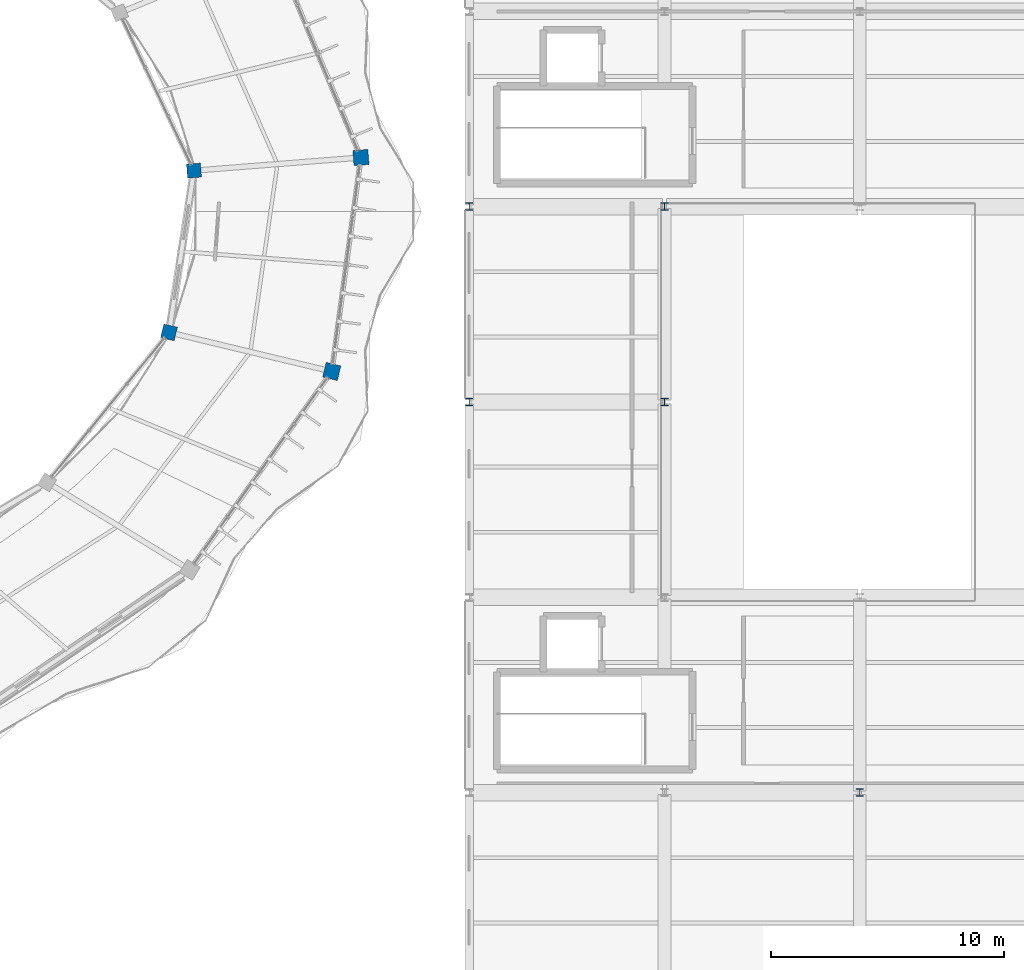
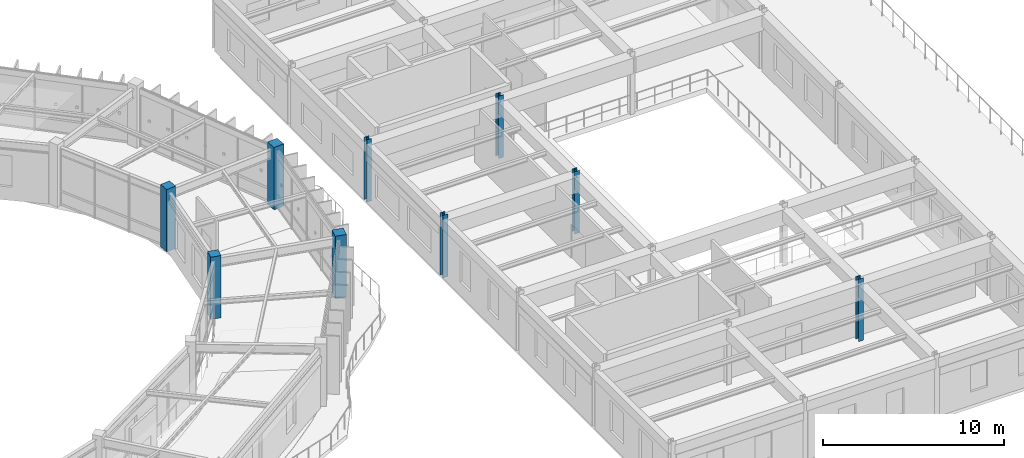
# One storey, part 3 of 114: 9 columns.
"""IFC4 building model written with IfcOpenShell, lengths in metres."""

from ifc_helpers import new_model, si_unit, direction, frame, origin, origin_2d, place, context, subcontext, project, spatial, rectangle, i_section, extrude, material, material_profile, profile_set, type_object, element, save


model = new_model("IFC4")

# Units and contexts
model_context = context("Model", 3, precision=1e-05, world=origin(), true_north=direction((0.0, 1.0)))
body_context = subcontext(model_context, "Body", "Model", "MODEL_VIEW")
ifc_project = project(units=[si_unit("LENGTHUNIT", "METRE"), si_unit("AREAUNIT", "SQUARE_METRE"), si_unit("VOLUMEUNIT", "CUBIC_METRE"), si_unit("PLANEANGLEUNIT", "RADIAN"), si_unit("MASSUNIT", "GRAM", prefix="KILO"), si_unit("THERMODYNAMICTEMPERATUREUNIT", "KELVIN"), si_unit("POWERUNIT", "WATT")], contexts=[model_context])

# Site, building, storey
site_placement = place(None, origin())
site = spatial("IfcSite", under=ifc_project, at=site_placement, CompositionType="ELEMENT")
building_placement = place(site_placement, origin())
building = spatial("IfcBuilding", under=site, at=building_placement, Name="Darbajah Civic Hall", CompositionType="ELEMENT")
storey_placement = place(building_placement, frame((0.0, 0.0, 13.800048828125)))
storey = spatial("IfcBuildingStorey", under=building, at=storey_placement, Name="L03", CompositionType="ELEMENT", Elevation=13.800048828125)

# Columns
ifc_material_1 = material(Name="Concrete C45/55", Category="concrete")
ifc_material_profile_1 = material_profile(ifc_material_1, rectangle(XDim=0.60009765625, YDim=0.60009765625, at=origin_2d()), Name="RC COL 600x600")
ifc_profile_set_1 = profile_set([ifc_material_profile_1], Name="Concrete C45/55")
column_type_1 = type_object("IfcColumnType", Name="RC COL 600x600", PredefinedType="COLUMN", material=ifc_profile_set_1)
for number, where, z_axis, x_axis, name in (
    (1, (132.764892578125, 91.549560546875, 0.0), (0.0, 0.0, 1.0), (0.996917333733, 0.078459095728, 0.0), "L03 column C-RC600"),
    (2, (131.689697265625, 84.59423828125, 0.0), (0.0, 0.0, 1.0), (0.972369920398, -0.233445363856, 0.0), "L03 column C-RC600"),
):
    element("IfcColumn", number, at=place(storey_placement, frame(where, z_axis=z_axis, x_axis=x_axis)), inside=storey, type_object=column_type_1, Name=name, PredefinedType="COLUMN", context=body_context, shape_type="SweptSolid", body=[
        extrude(rectangle(XDim=0.60009765625, YDim=0.60009765625, at=origin_2d()), origin(), (0.0, 0.0, 1.0), 4.199951171875),
    ])
ifc_material_profile_2 = material_profile(ifc_material_1, rectangle(XDim=0.64990234375, YDim=0.64990234375, at=origin_2d()), Name="RC COL 650x650")
ifc_profile_set_2 = profile_set([ifc_material_profile_2], Name="Concrete C45/55")
column_type_2 = type_object("IfcColumnType", Name="RC COL 650x650", PredefinedType="COLUMN", material=ifc_profile_set_2)
for number, where, z_axis, x_axis, name in (
    (3, (139.94287109375, 92.114501953125, 0.0), (0.0, 0.0, 1.0), (0.996917333733, 0.078459095728, 0.0), "L03 column C-RC650"),
    (4, (138.69091796875, 82.913330078125, 0.0), (0.0, 0.0, 1.0), (0.972369920398, -0.233445363856, 0.0), "L03 column C-RC650"),
):
    element("IfcColumn", number, at=place(storey_placement, frame(where, z_axis=z_axis, x_axis=x_axis)), inside=storey, type_object=column_type_2, Name=name, PredefinedType="COLUMN", context=body_context, shape_type="SweptSolid", body=[
        extrude(rectangle(XDim=0.64990234375, YDim=0.64990234375, at=origin_2d()), origin(), (0.0, 0.0, 1.0), 4.199951171875),
    ])
ifc_material_2 = material(Name="Steel S355JR", Category="steel")
ifc_material_profile_3 = material_profile(ifc_material_2, i_section(OverallWidth=0.30908203125, OverallDepth=0.320556640625, WebThickness=0.013916015625, FlangeThickness=0.021728515625, FilletRadius=0.01513671875, at=origin_2d()), Name="UC 305x305x137")
ifc_profile_set_3 = profile_set([ifc_material_profile_3], Name="Steel S355JR")
column_type_3 = type_object("IfcColumnType", Name="UC 305x305x137", PredefinedType="COLUMN", material=ifc_profile_set_3)
for number, where, z_axis, x_axis, name in (
    (5, (144.60009765625, 81.60009765625, 0.0), (0.0, 0.0, 1.0), (1.0, 0.0, 0.0), "L03 column C-UC305"),
    (6, (144.60009765625, 90.0, 0.0), (0.0, 0.0, 1.0), (1.0, 0.0, 0.0), "L03 column C-UC305"),
    (7, (153.0, 81.60009765625, 0.0), (0.0, 0.0, 1.0), (1.0, 0.0, 0.0), "L03 column C-UC305"),
    (8, (153.0, 90.0, 0.0), (0.0, 0.0, 1.0), (1.0, 0.0, 0.0), "L03 column C-UC305"),
    (9, (161.39990234375, 64.800048828125, 0.0), (0.0, 0.0, 1.0), (1.0, 0.0, 0.0), "L03 column C-UC305"),
):
    element("IfcColumn", number, at=place(storey_placement, frame(where, z_axis=z_axis, x_axis=x_axis)), inside=storey, type_object=column_type_3, Name=name, PredefinedType="COLUMN", context=body_context, shape_type="SweptSolid", body=[
        extrude(i_section(OverallWidth=0.30908203125, OverallDepth=0.320556640625, WebThickness=0.013916015625, FlangeThickness=0.021728515625, FilletRadius=0.01513671875, at=origin_2d()), origin(), (0.0, 0.0, 1.0), 4.199951171875),
    ])

save(model, "model.ifc")
